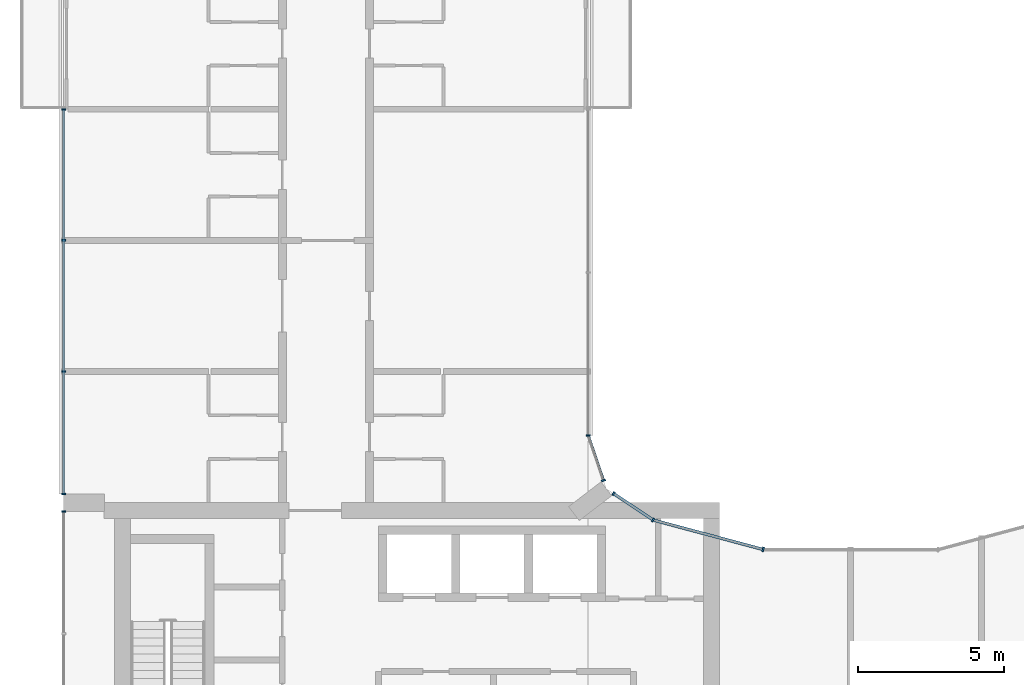
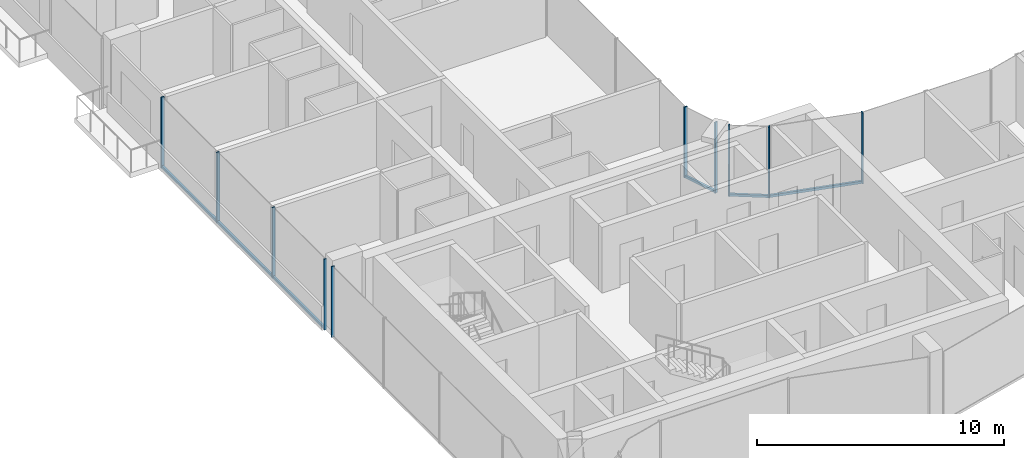
# One storey, part 4 of 15: 14 members, 6 elements without a shape of their own.
"""IFC4 building model written with IfcOpenShell, lengths in metres."""

from ifc_helpers import new_model, si_unit, direction, frame, origin, origin_2d, place, context, subcontext, project, spatial, rectangle, extrude, material, layer, layer_set, material_profile, profile_set, type_object, element, aggregate, save


model = new_model("IFC4")

# Units and contexts
model_context = context("Model", 3, precision=1e-05, world=origin(), true_north=direction((0.0, 1.0)))
body_context = subcontext(model_context, "Body", "Model", "MODEL_VIEW")
ifc_project = project(units=[si_unit("LENGTHUNIT", "METRE"), si_unit("AREAUNIT", "SQUARE_METRE"), si_unit("VOLUMEUNIT", "CUBIC_METRE"), si_unit("PLANEANGLEUNIT", "RADIAN"), si_unit("MASSUNIT", "GRAM", prefix="KILO")], contexts=[model_context])

# Site, building, storey
site_placement = place(None, origin())
site = spatial("IfcSite", under=ifc_project, at=site_placement, CompositionType="ELEMENT")
building_placement = place(site_placement, origin())
building = spatial("IfcBuilding", under=site, at=building_placement, Name="Plateau Cross Towers", CompositionType="ELEMENT")
storey_placement = place(building_placement, frame((0.0, 0.0, 194.39990234375)))
storey = spatial("IfcBuildingStorey", under=building, at=storey_placement, Name="L50", CompositionType="ELEMENT", Elevation=194.39990234375)

# Curtain wall, members
ifc_material_1 = material(Name="Dark low-iron glass", Category="glass")
ifc_layer_1 = layer(ifc_material_1, 0.239990234375)
ifc_layer_set_1 = layer_set([ifc_layer_1], Name="Dark low-iron glass")
curtain_wall_type_1 = type_object("IfcCurtainWallType", Name="Curtain wall flush unitised CW-B", PredefinedType="NOTDEFINED", material=ifc_layer_set_1)
curtain_wall_1_placement = place(storey_placement, origin())
curtain_wall_1 = element("IfcCurtainWall", 1, at=curtain_wall_1_placement, inside=storey, type_object=curtain_wall_type_1, Name="ENV/A/L50/A202_174", PredefinedType="NOTDEFINED")
ifc_material_2 = material(Name="Black anodised aluminium", Category="aluminium")
ifc_material_profile_1 = material_profile(ifc_material_2, rectangle(XDim=0.06005859375, YDim=0.139892578125, at=origin_2d()), Name="MULLION 60x140")
ifc_profile_set_1 = profile_set([ifc_material_profile_1], Name="Black anodised aluminium")
member_type_1 = type_object("IfcMemberType", Name="Mullion 60x140 flush unitised", PredefinedType="MULLION", material=ifc_profile_set_1)
member_1_placement = place(storey_placement, frame((20.223876953125, 17.404296875, -0.25), z_axis=(0.0, 0.0, 1.0), x_axis=(-0.831521253329, 0.555492938984, 0.0)))
member_1 = element("IfcMember", 2, at=member_1_placement, type_object=member_type_1, Name="CW-B mullion 1", PredefinedType="MULLION", context=body_context, shape_type="SweptSolid", body=[
    extrude(rectangle(XDim=0.06005859375, YDim=0.139892578125, at=origin_2d()), origin(), (0.0, 0.0, 1.0), 3.5),
])
member_2_placement = place(storey_placement, frame((18.86962890625, 18.30908203125, -0.25), z_axis=(0.0, 0.0, 1.0), x_axis=(-0.831521253329, 0.555492938984, 0.0)))
member_2 = element("IfcMember", 3, at=member_2_placement, type_object=member_type_1, Name="CW-B mullion 2", PredefinedType="MULLION", context=body_context, shape_type="SweptSolid", body=[
    extrude(rectangle(XDim=0.06005859375, YDim=0.139892578125, at=origin_2d()), origin(), (0.0, 0.0, 1.0), 3.5),
])

# Curtain wall, member
curtain_wall_2_placement = place(storey_placement, origin())
curtain_wall_2 = element("IfcCurtainWall", 4, at=curtain_wall_2_placement, inside=storey, type_object=curtain_wall_type_1, Name="ENV/A/L50/A185_188", PredefinedType="NOTDEFINED")
member_3_placement = place(storey_placement, frame((18.523681640625, 18.760009765625, -0.25), z_axis=(0.0, 0.0, 1.0), x_axis=(-0.321469161574, 0.94692004845, 0.0)))
member_3 = element("IfcMember", 5, at=member_3_placement, type_object=member_type_1, Name="CW-B mullion 1", PredefinedType="MULLION", context=body_context, shape_type="SweptSolid", body=[
    extrude(rectangle(XDim=0.06005859375, YDim=0.139892578125, at=origin_2d()), origin(), (0.0, 0.0, 1.0), 3.5),
])

curtain_wall_3_placement = place(storey_placement, origin())
curtain_wall_3 = element("IfcCurtainWall", 6, at=curtain_wall_3_placement, inside=storey, type_object=curtain_wall_type_1, Name="ENV/A/L50/A180_203", PredefinedType="NOTDEFINED")
member_4_placement = place(storey_placement, frame((18.0, 20.30224609375, -0.25), z_axis=(0.0, 0.0, 1.0), x_axis=(0.0, 1.0, 0.0)))
member_4 = element("IfcMember", 7, at=member_4_placement, type_object=member_type_1, Name="CW-B mullion 1", PredefinedType="MULLION", context=body_context, shape_type="SweptSolid", body=[
    extrude(rectangle(XDim=0.06005859375, YDim=0.139892578125, at=origin_2d()), origin(), (0.0, 0.0, 1.0), 3.5),
])
aggregate(curtain_wall_3, [member_4])

# Curtain wall, members
curtain_wall_4_placement = place(storey_placement, origin())
curtain_wall_4 = element("IfcCurtainWall", 8, at=curtain_wall_4_placement, inside=storey, type_object=curtain_wall_type_1, Name="ENV/A/L50/A0_315", PredefinedType="NOTDEFINED")
member_5_placement = place(storey_placement, frame((0.0, 31.489990234375, -0.25), z_axis=(0.0, 0.0, 1.0), x_axis=(0.0, -1.0, 0.0)))
member_5 = element("IfcMember", 9, at=member_5_placement, type_object=member_type_1, Name="CW-B mullion 1", PredefinedType="MULLION", context=body_context, shape_type="SweptSolid", body=[
    extrude(rectangle(XDim=0.06005859375, YDim=0.139892578125, at=origin_2d()), origin(), (0.0, 0.0, 1.0), 3.5),
])
member_6_placement = place(storey_placement, frame((0.0, 27.0, -0.25), z_axis=(0.0, 0.0, 1.0), x_axis=(0.0, -1.0, 0.0)))
member_6 = element("IfcMember", 10, at=member_6_placement, type_object=member_type_1, Name="CW-B mullion 2", PredefinedType="MULLION", context=body_context, shape_type="SweptSolid", body=[
    extrude(rectangle(XDim=0.06005859375, YDim=0.139892578125, at=origin_2d()), origin(), (0.0, 0.0, 1.0), 3.5),
])
member_7_placement = place(storey_placement, frame((0.0, 22.5, -0.25), z_axis=(0.0, 0.0, 1.0), x_axis=(0.0, -1.0, 0.0)))
member_7 = element("IfcMember", 11, at=member_7_placement, type_object=member_type_1, Name="CW-B mullion 3", PredefinedType="MULLION", context=body_context, shape_type="SweptSolid", body=[
    extrude(rectangle(XDim=0.06005859375, YDim=0.139892578125, at=origin_2d()), origin(), (0.0, 0.0, 1.0), 3.5),
])
member_8_placement = place(storey_placement, frame((0.0, 18.300048828125, -0.25), z_axis=(0.0, 0.0, 1.0), x_axis=(0.0, -1.0, 0.0)))
member_8 = element("IfcMember", 12, at=member_8_placement, type_object=member_type_1, Name="CW-B mullion 4", PredefinedType="MULLION", context=body_context, shape_type="SweptSolid", body=[
    extrude(rectangle(XDim=0.06005859375, YDim=0.139892578125, at=origin_2d()), origin(), (0.0, 0.0, 1.0), 3.5),
])

# Curtain wall, member
curtain_wall_5_placement = place(storey_placement, origin())
curtain_wall_5 = element("IfcCurtainWall", 13, at=curtain_wall_5_placement, inside=storey, type_object=curtain_wall_type_1, Name="ENV/A/L50/A0_177", PredefinedType="NOTDEFINED")
member_9_placement = place(storey_placement, frame((0.0, 17.699951171875, -0.25), z_axis=(0.0, 0.0, 1.0), x_axis=(0.0, -1.0, 0.0)))
member_9 = element("IfcMember", 14, at=member_9_placement, type_object=member_type_1, Name="CW-B mullion 1", PredefinedType="MULLION", context=body_context, shape_type="SweptSolid", body=[
    extrude(rectangle(XDim=0.06005859375, YDim=0.139892578125, at=origin_2d()), origin(), (0.0, 0.0, 1.0), 3.5),
])
aggregate(curtain_wall_5, [member_9])

ifc_layer_2 = layer(ifc_material_1, 0.260009765625)
ifc_layer_set_2 = layer_set([ifc_layer_2], Name="Dark low-iron glass")
curtain_wall_type_2 = type_object("IfcCurtainWallType", Name="Curtain wall fluted unitised CW-A", PredefinedType="NOTDEFINED", material=ifc_layer_set_2)
curtain_wall_6_placement = place(storey_placement, origin())
curtain_wall_6 = element("IfcCurtainWall", 15, at=curtain_wall_6_placement, inside=storey, type_object=curtain_wall_type_2, Name="ENV/A/L50/A240_164", PredefinedType="NOTDEFINED")
ifc_material_profile_2 = material_profile(ifc_material_2, rectangle(XDim=0.06005859375, YDim=0.159912109375, at=origin_2d()), Name="MULLION 60x160")
ifc_profile_set_2 = profile_set([ifc_material_profile_2], Name="Black anodised aluminium")
member_type_2 = type_object("IfcMemberType", Name="Mullion 60x160 fluted unitised", PredefinedType="MULLION", material=ifc_profile_set_2)
member_10_placement = place(storey_placement, frame((24.0, 16.39306640625, -0.25), z_axis=(0.0, 0.0, 1.0), x_axis=(-0.965957995816, 0.258698956933, 0.0)))
member_10 = element("IfcMember", 16, at=member_10_placement, type_object=member_type_2, Name="CW-A mullion 1", PredefinedType="MULLION", context=body_context, shape_type="SweptSolid", body=[
    extrude(rectangle(XDim=0.06005859375, YDim=0.159912109375, at=origin_2d()), origin(), (0.0, 0.0, 1.0), 3.5),
])

# Member
ifc_material_profile_3 = material_profile(ifc_material_2, rectangle(XDim=0.10009765625, YDim=0.1201171875, at=origin_2d()), Name="TRANSOM 100x120")
ifc_profile_set_3 = profile_set([ifc_material_profile_3], Name="Black anodised aluminium")
member_type_3 = type_object("IfcMemberType", Name="Transom 100x120 flush unitised", PredefinedType="USERDEFINED", material=ifc_profile_set_3)
member_11_placement = place(storey_placement, frame((20.223876953125, 17.404296875, -0.18994140625), z_axis=(-0.831496402487, 0.555530136582, 0.0), x_axis=(-0.555530136582, -0.831496402487, 0.0)))
member_11 = element("IfcMember", 17, at=member_11_placement, type_object=member_type_3, Name="CW-B transom", ObjectType="TRANSOM", PredefinedType="USERDEFINED", context=body_context, shape_type="SweptSolid", body=[
    extrude(rectangle(XDim=0.10009765625, YDim=0.1201171875, at=origin_2d()), origin(), (0.0, 0.0, 1.0), 1.628662109375),
])

aggregate(curtain_wall_1, [member_1, member_2, member_11])

member_12_placement = place(storey_placement, frame((18.523681640625, 18.760009765625, -0.18994140625), z_axis=(-0.321529174838, 0.946899672472, 0.0), x_axis=(-0.946899672472, -0.321529174838, 0.0)))
member_12 = element("IfcMember", 18, at=member_12_placement, type_object=member_type_3, Name="CW-B transom", ObjectType="TRANSOM", PredefinedType="USERDEFINED", context=body_context, shape_type="SweptSolid", body=[
    extrude(rectangle(XDim=0.10009765625, YDim=0.1201171875, at=origin_2d()), origin(), (0.0, 0.0, 1.0), 1.628662109375),
])

aggregate(curtain_wall_2, [member_3, member_12])

member_13_placement = place(storey_placement, frame((0.0, 31.489990234375, -0.18994140625), z_axis=(0.0, -1.0, 0.0), x_axis=(1.0, 0.0, 0.0)))
member_13 = element("IfcMember", 19, at=member_13_placement, type_object=member_type_3, Name="CW-B transom", ObjectType="TRANSOM", PredefinedType="USERDEFINED", context=body_context, shape_type="SweptSolid", body=[
    extrude(rectangle(XDim=0.10009765625, YDim=0.1201171875, at=origin_2d()), origin(), (0.0, 0.0, 1.0), 13.18994140625),
])

aggregate(curtain_wall_4, [member_5, member_6, member_7, member_8, member_13])

ifc_material_profile_4 = material_profile(ifc_material_2, rectangle(XDim=0.10009765625, YDim=0.1201171875, at=origin_2d()), Name="TRANSOM 100x120")
ifc_profile_set_4 = profile_set([ifc_material_profile_4], Name="Black anodised aluminium")
member_type_4 = type_object("IfcMemberType", Name="Transom 100x120 fluted unitised", PredefinedType="USERDEFINED", material=ifc_profile_set_4)
member_14_placement = place(storey_placement, frame((24.0, 16.39306640625, -0.18994140625), z_axis=(-0.965962822393, 0.25868093427, 0.0), x_axis=(-0.25868093427, -0.965962822393, 0.0)))
member_14 = element("IfcMember", 20, at=member_14_placement, type_object=member_type_4, Name="CW-A transom", ObjectType="TRANSOM", PredefinedType="USERDEFINED", context=body_context, shape_type="SweptSolid", body=[
    extrude(rectangle(XDim=0.10009765625, YDim=0.1201171875, at=origin_2d()), origin(), (0.0, 0.0, 1.0), 3.9091796875),
])

aggregate(curtain_wall_6, [member_10, member_14])

save(model, "model.ifc")
